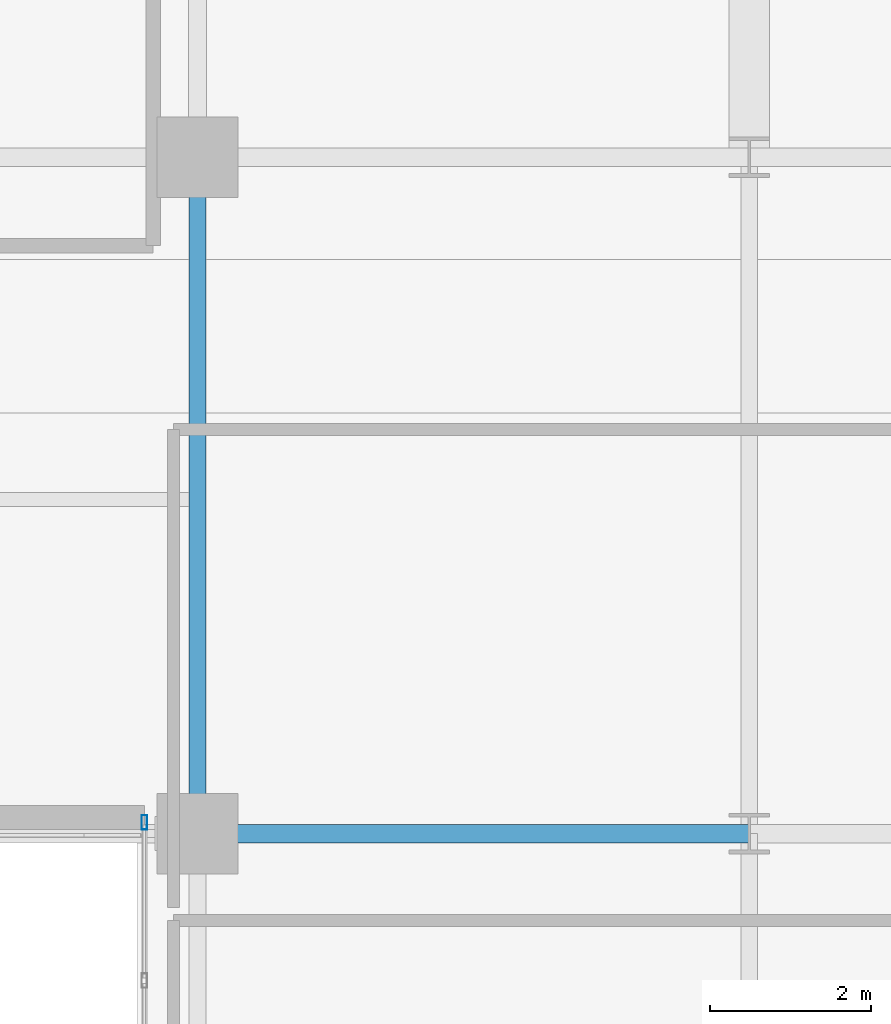
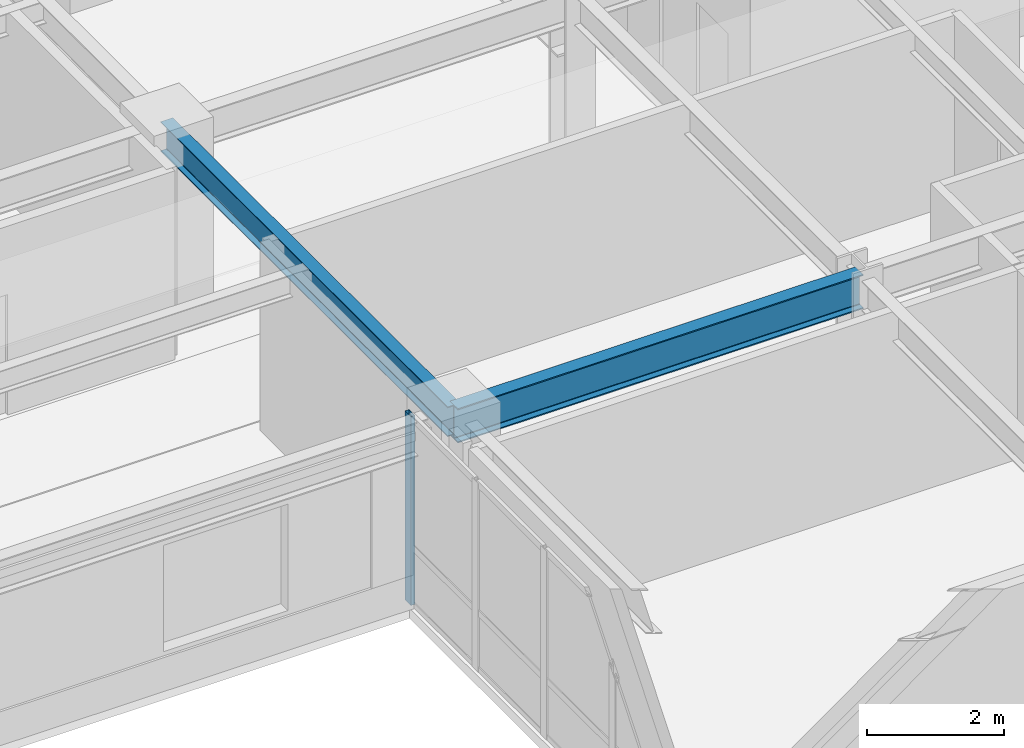
# One storey, part 13 of 31: 2 beams, 1 member, 1 element without a shape of its own.
"""IFC4 building model written with IfcOpenShell, lengths in metres."""

import ifcopenshell
import ifcopenshell.guid

model = None  # the IFC model being written
_history = None  # IfcOwnerHistory: only IFC2X3 demands one
_inside = {}  # id of a spatial element -> (the spatial element, [elements in it])
_under = {}  # id of a project, library or spatial element -> (it, [spatial elements below it])
_declared = {}  # id of a project -> (the project, [libraries it declares])
_typed = {}  # id of a type object -> (the type object, [elements of that type])
_made_of = {}  # id of a material, layer set ... -> (it, [elements and type objects made of it])


def new_model(schema):
    """Start an empty IFC model of exactly this schema.

    Asked for "IFC4X3", IfcOpenShell would pick the latest addendum, in which some entities
    have other attributes; the version numbers below select the first issue.
    IFC2X3 requires an IfcOwnerHistory on every rooted entity: one is made here for all.
    """
    global model, _history
    if schema == "IFC4X3":
        model = ifcopenshell.file(schema_version=(4, 3, 0, 0))
    else:
        model = ifcopenshell.file(schema=schema)
    _inside.clear()
    _under.clear()
    _declared.clear()
    _typed.clear()
    _made_of.clear()
    _history = None
    if model.schema == "IFC2X3":
        org = make("IfcOrganization", Name="unknown")
        user = make(
            "IfcPersonAndOrganization",
            ThePerson=make("IfcPerson", FamilyName="unknown"),
            TheOrganization=org,
        )
        app = make(
            "IfcApplication",
            ApplicationDeveloper=org,
            Version="unknown",
            ApplicationFullName="unknown",
            ApplicationIdentifier="unknown",
        )
        _history = make(
            "IfcOwnerHistory",
            OwningUser=user,
            OwningApplication=app,
            ChangeAction="ADDED",
            CreationDate=0,
        )
    return model


def make(cls, **values):
    """One entity of the class cls with the attributes given. An attribute that is None is left unset."""
    return model.create_entity(
        cls, **{name: value for name, value in values.items() if value is not None}
    )


def rooted(cls, **values):
    """An entity with a GlobalId (a new one), such as an element, a storey or a relation."""
    return make(cls, GlobalId=ifcopenshell.guid.new(), OwnerHistory=_history, **values)


def si_unit(unit_type, name, prefix=None):
    """IfcSIUnit, for example si_unit("LENGTHUNIT", "METRE", prefix="MILLI")."""
    return make("IfcSIUnit", UnitType=unit_type, Prefix=prefix, Name=name)


def assignment(units):
    """IfcUnitAssignment: the units of a project."""
    return None if units is None else make("IfcUnitAssignment", Units=units)


def point(xyz):
    """IfcCartesianPoint."""
    return None if xyz is None else make("IfcCartesianPoint", Coordinates=xyz)


def direction(xyz):
    """IfcDirection."""
    return None if xyz is None else make("IfcDirection", DirectionRatios=xyz)


def frame(location, z_axis=None, x_axis=None):
    """IfcAxis2Placement3D, a coordinate frame: its origin and axes. An axis left out is left unset."""
    return make(
        "IfcAxis2Placement3D",
        Location=point(location),
        Axis=direction(z_axis),
        RefDirection=direction(x_axis),
    )


def frame_2d(location, x_axis=None):
    """IfcAxis2Placement2D, a coordinate frame in the plane: its origin and x axis."""
    return make(
        "IfcAxis2Placement2D", Location=point(location), RefDirection=direction(x_axis)
    )


def origin():
    """The frame at (0, 0, 0) with its axes left unset."""
    return frame((0.0, 0.0, 0.0))


def origin_2d():
    """The frame at (0, 0) in the plane with its x axis left unset."""
    return frame_2d((0.0, 0.0))


def place(relative_to, where):
    """IfcLocalPlacement: puts the frame where relative to a parent placement (None: the world)."""
    return make(
        "IfcLocalPlacement", PlacementRelTo=relative_to, RelativePlacement=where
    )


def context(
    kind, dimensions, precision=None, world=None, true_north=None, identifier=None
):
    """IfcGeometricRepresentationContext, for example the 3D "Model" context."""
    return make(
        "IfcGeometricRepresentationContext",
        ContextIdentifier=identifier,
        ContextType=kind,
        CoordinateSpaceDimension=dimensions,
        Precision=precision,
        WorldCoordinateSystem=world,
        TrueNorth=true_north,
    )


def subcontext(parent, identifier, kind, view, scale=None):
    """IfcGeometricRepresentationSubContext, for example "Body" below "Model"."""
    return make(
        "IfcGeometricRepresentationSubContext",
        ContextIdentifier=identifier,
        ContextType=kind,
        ParentContext=parent,
        TargetScale=scale,
        TargetView=view,
    )


def project(units=None, contexts=None):
    """IfcProject with its units and contexts."""
    return rooted(
        "IfcProject",
        Name="project",
        RepresentationContexts=contexts,
        UnitsInContext=assignment(units),
    )


def spatial(cls, under=None, at=None, **own):
    """A site, building, storey or space (cls), placed at a placement, below another one or the project."""
    s = rooted(cls, ObjectPlacement=at, **own)
    if under is not None:
        _under.setdefault(under.id(), (under, []))[1].append(s)
    return s


def profile(cls, at=None, kind="AREA", **sizes):
    """A parametric profile (cls). Its sizes go by their IFC names, for example OverallWidth=200.0."""
    return make(cls, ProfileType=kind, Position=at, **sizes)


def hollow_rectangle(**sizes):
    """IfcRectangleHollowProfileDef."""
    return profile("IfcRectangleHollowProfileDef", **sizes)


def i_section(**sizes):
    """IfcIShapeProfileDef."""
    return profile("IfcIShapeProfileDef", **sizes)


def extrude(swept, where, along, depth):
    """IfcExtrudedAreaSolid: the profile swept, set in the frame where, extruded along a direction by depth."""
    return make(
        "IfcExtrudedAreaSolid",
        SweptArea=swept,
        Position=where,
        ExtrudedDirection=direction(along),
        Depth=depth,
    )


def shape(context_of_items, identifier, shape_type, items):
    """IfcShapeRepresentation: the items that make up one representation, for example the "Body"."""
    return make(
        "IfcShapeRepresentation",
        ContextOfItems=context_of_items,
        RepresentationIdentifier=identifier,
        RepresentationType=shape_type,
        Items=items,
    )


def source(mapping_origin, context_of_items, identifier, shape_type, items):
    """IfcRepresentationMap: a shape defined once, which mapped items show again and again."""
    return make(
        "IfcRepresentationMap",
        MappingOrigin=mapping_origin,
        MappedRepresentation=shape(context_of_items, identifier, shape_type, items),
    )


def transform(
    local_origin,
    x_axis=None,
    y_axis=None,
    z_axis=None,
    scale=None,
    scale2=None,
    scale3=None,
    uniform=True,
):
    """IfcCartesianTransformationOperator3D, or its non-uniform kind. x_axis, y_axis, z_axis: its Axis1, 2, 3."""
    if uniform:
        return make(
            "IfcCartesianTransformationOperator3D",
            Axis1=direction(x_axis),
            Axis2=direction(y_axis),
            LocalOrigin=point(local_origin),
            Scale=scale,
            Axis3=direction(z_axis),
        )
    return make(
        "IfcCartesianTransformationOperator3DnonUniform",
        Axis1=direction(x_axis),
        Axis2=direction(y_axis),
        LocalOrigin=point(local_origin),
        Scale=scale,
        Axis3=direction(z_axis),
        Scale2=scale2,
        Scale3=scale3,
    )


def mapped(mapping_source, mapping_target):
    """IfcMappedItem: shows the shape of a source again, moved by a transform."""
    return make(
        "IfcMappedItem", MappingSource=mapping_source, MappingTarget=mapping_target
    )


def material(Name=None, Category=None):
    """IfcMaterial."""
    return make("IfcMaterial", Name=Name, Category=Category)


def layer(
    of_material, thickness, ventilated=None, Name=None, Category=None, Priority=None
):
    """IfcMaterialLayer: one layer of a wall or slab, of a material (None: an air gap)."""
    return make(
        "IfcMaterialLayer",
        Material=of_material,
        LayerThickness=thickness,
        IsVentilated=ventilated,
        Name=Name,
        Category=Category,
        Priority=Priority,
    )


def layer_set(layers, Name=None):
    """IfcMaterialLayerSet."""
    return make("IfcMaterialLayerSet", MaterialLayers=layers, LayerSetName=Name)


def material_profile(
    of_material, cross_section, Name=None, Category=None, Priority=None
):
    """IfcMaterialProfile: a cross section and its material."""
    return make(
        "IfcMaterialProfile",
        Name=Name,
        Material=of_material,
        Profile=cross_section,
        Priority=Priority,
        Category=Category,
    )


def profile_set(profiles, Name=None, composite=None):
    """IfcMaterialProfileSet."""
    return make(
        "IfcMaterialProfileSet",
        Name=Name,
        MaterialProfiles=profiles,
        CompositeProfile=composite,
    )


def made_of(thing, what):
    """Note that an element or type object is made of a material, layer set ...; save() writes the relation."""
    if what is not None:
        _made_of.setdefault(what.id(), (what, []))[1].append(thing)
    return thing


def type_object(cls, material=None, **own):
    """A type object (cls), such as IfcWallType, which elements share."""
    return made_of(rooted(cls, **own), material)


def type_shapes(of_type, sources):
    """Give a type object the sources (RepresentationMaps) that its elements show as mapped items."""
    of_type.RepresentationMaps = sources


def element(
    cls,
    number,
    at=None,
    inside=None,
    cuts=None,
    type_object=None,
    material=None,
    context=None,
    identifier="Body",
    shape_type=None,
    held_by="IfcProductDefinitionShape",
    body=None,
    shapes=None,
    **own,
):
    """One element of the class cls, such as IfcWall. Its Tag is "e" and its number.

    at: its placement. inside: the storey or other place that contains it. cuts: it is an
    opening in that element (IfcRelVoidsElement). A single representation is given by context,
    identifier, shape_type and body (its items); several are given by shapes. held_by: the class
    of the entity that holds the representations. save() writes the other relations.
    """
    e = rooted(cls, Tag="e%d" % number, ObjectPlacement=at, **own)
    if body is not None:
        shapes = [shape(context, identifier, shape_type, body)]
    if shapes is not None:
        e.Representation = make(held_by, Representations=shapes)
    if inside is not None:
        _inside.setdefault(inside.id(), (inside, []))[1].append(e)
    if cuts is not None:
        rooted(
            "IfcRelVoidsElement", RelatingBuildingElement=cuts, RelatedOpeningElement=e
        )
    if type_object is not None:
        _typed.setdefault(type_object.id(), (type_object, []))[1].append(e)
    return made_of(e, material)


def aggregate(whole, parts):
    """IfcRelAggregates: a whole, such as a stair, and the parts it consists of."""
    return rooted("IfcRelAggregates", RelatingObject=whole, RelatedObjects=parts)


def save(model, path):
    """Write the relations noted so far, then the file.

    IfcRelAggregates (storeys below a building ...), IfcRelContainedInSpatialStructure (elements
    in a storey), IfcRelDefinesByType, IfcRelAssociatesMaterial and IfcRelDeclares: one each for
    every whole, place, type object, material and project.
    """
    for whole, parts in _under.values():
        aggregate(whole, parts)
    for where, things in _inside.values():
        rooted(
            "IfcRelContainedInSpatialStructure",
            RelatedElements=things,
            RelatingStructure=where,
        )
    for kind, things in _typed.values():
        rooted("IfcRelDefinesByType", RelatedObjects=things, RelatingType=kind)
    for what, things in _made_of.values():
        rooted("IfcRelAssociatesMaterial", RelatedObjects=things, RelatingMaterial=what)
    for by, libraries in _declared.values():
        rooted("IfcRelDeclares", RelatingContext=by, RelatedDefinitions=libraries)
    model.write(path)


model = new_model("IFC4")

# Units and contexts
model_context = context("Model", 3, precision=1e-05, world=origin(), true_north=direction((0.0, 1.0)))
body_context = subcontext(model_context, "Body", "Model", "MODEL_VIEW")
ifc_project = project(units=[si_unit("LENGTHUNIT", "METRE"), si_unit("AREAUNIT", "SQUARE_METRE"), si_unit("VOLUMEUNIT", "CUBIC_METRE"), si_unit("PLANEANGLEUNIT", "RADIAN"), si_unit("MASSUNIT", "GRAM", prefix="KILO")], contexts=[model_context])

# Site, building, storey
site_placement = place(None, origin())
site = spatial("IfcSite", under=ifc_project, at=site_placement, CompositionType="ELEMENT")
building_placement = place(site_placement, origin())
building = spatial("IfcBuilding", under=site, at=building_placement, Name="Tolvann Quenvar Hotel", CompositionType="ELEMENT")
storey_placement = place(building_placement, frame((0.0, 0.0, 74.60009765625)))
storey = spatial("IfcBuildingStorey", under=building, at=storey_placement, Name="L18", CompositionType="ELEMENT", Elevation=74.60009765625)

# Beams
ifc_material_1 = material(Name="Steel Grade 350", Category="steel")
ifc_material_profile_1 = material_profile(ifc_material_1, i_section(OverallWidth=0.22900390625, OverallDepth=0.612060546875, WebThickness=0.011962890625, FlangeThickness=0.01953125, FilletRadius=0.013916015625, at=origin_2d()), Name="610UB125")
ifc_profile_set_1 = profile_set([ifc_material_profile_1], Name="Steel Grade 350")
beam_type_1 = type_object("IfcBeamType", Name="BM_GIRD_610UB125", PredefinedType="BEAM", material=ifc_profile_set_1)
shared_shape_1 = source(origin(), body_context, "Body", "SweptSolid", [
    extrude(i_section(OverallWidth=0.22900390625, OverallDepth=0.612060546875, WebThickness=0.011962890625, FlangeThickness=0.01953125, FilletRadius=0.013916015625, at=origin_2d()), origin(), (0.0, 0.0, 1.0), 6.85009765625),
])
type_shapes(beam_type_1, [shared_shape_1])
beam_1_placement = place(storey_placement, frame((34.949951171875, 16.0, 3.06396484375), z_axis=(1.0, 0.0, 0.0), x_axis=(0.0, 1.0, 0.0)))
element("IfcBeam", 1, at=beam_1_placement, inside=storey, type_object=beam_type_1, Name="BM-L18-EW-4-F4-H4", PredefinedType="BEAM", context=body_context, shape_type="MappedRepresentation", body=[
    mapped(shared_shape_1, transform((0.0, 0.0, 0.0), x_axis=(1.0, 0.0, 0.0), y_axis=(0.0, 1.0, 0.0), z_axis=(0.0, 0.0, 1.0), scale=1.0)),
])
ifc_material_profile_2 = material_profile(ifc_material_1, i_section(OverallWidth=0.208984375, OverallDepth=0.532958984375, WebThickness=0.01025390625, FlangeThickness=0.015625, FilletRadius=0.013916015625, at=origin_2d()), Name="530UB92")
ifc_profile_set_2 = profile_set([ifc_material_profile_2], Name="Steel Grade 350")
beam_type_2 = type_object("IfcBeamType", Name="BM_GIRD_530UB92", PredefinedType="BEAM", material=ifc_profile_set_2)
shared_shape_2 = source(origin(), body_context, "Body", "SweptSolid", [
    extrude(i_section(OverallWidth=0.208984375, OverallDepth=0.532958984375, WebThickness=0.01025390625, FlangeThickness=0.015625, FilletRadius=0.013916015625, at=origin_2d()), origin(), (0.0, 0.0, 1.0), 8.39990234375),
])
type_shapes(beam_type_2, [shared_shape_2])
beam_2_placement = place(storey_placement, frame((34.949951171875, 16.0, 3.103515625), z_axis=(0.0, 1.0, 0.0), x_axis=(-1.0, 0.0, 0.0)))
element("IfcBeam", 2, at=beam_2_placement, inside=storey, type_object=beam_type_2, Name="BM-L18-NS-F4-F5", PredefinedType="BEAM", context=body_context, shape_type="MappedRepresentation", body=[
    mapped(shared_shape_2, transform((0.0, 0.0, 0.0), x_axis=(1.0, 0.0, 0.0), y_axis=(0.0, 1.0, 0.0), z_axis=(0.0, 0.0, 1.0), scale=1.0)),
])

# Curtain wall, member
ifc_material_2 = material(Name="Thermally broken anodised architectural aluminium 6063-T6 and laminated low-E glass", Category="aluminium")
ifc_layer = layer(ifc_material_2, 0.179931640625)
ifc_layer_set = layer_set([ifc_layer], Name="Thermally broken anodised architectural aluminium 6063-T6 and laminated low-E glass")
curtain_wall_type = type_object("IfcCurtainWallType", Name="CW_SYS_SLOT_03", PredefinedType="USERDEFINED", material=ifc_layer_set)
curtain_wall_placement = place(storey_placement, origin())
curtain_wall = element("IfcCurtainWall", 3, at=curtain_wall_placement, inside=storey, type_object=curtain_wall_type, Name="Curtain Wall CW-SLOT-03 (CWR-L18-E07)", ObjectType="UNITISED CURTAIN WALL", PredefinedType="USERDEFINED")
ifc_material_3 = material(Name="Anodised architectural aluminium 6063-T6 framing", Category="aluminium")
ifc_material_profile_3 = material_profile(ifc_material_3, hollow_rectangle(XDim=0.070068359375, YDim=0.179931640625, WallThickness=0.00390625, at=origin_2d()), Name="180x70x4RHS")
ifc_profile_set_3 = profile_set([ifc_material_profile_3], Name="Anodised architectural aluminium 6063-T6 framing")
member_type = type_object("IfcMemberType", Name="CW_MULL_180x70", PredefinedType="MULLION", material=ifc_profile_set_3)
shared_shape_3 = source(origin(), body_context, "Body", "SweptSolid", [
    extrude(hollow_rectangle(XDim=0.070068359375, YDim=0.179931640625, WallThickness=0.00390625, at=origin_2d()), origin(), (0.0, 0.0, 1.0), 3.369873046875),
])
type_shapes(member_type, [shared_shape_3])
member_placement = place(storey_placement, frame((34.2900390625, 16.139892578125, 0.0), z_axis=(0.0, 0.0, 1.0), x_axis=(1.0, 0.0, 0.0)))
member = element("IfcMember", 4, at=member_placement, type_object=member_type, Name="CW-SLOT-03 mullion 1", PredefinedType="MULLION", context=body_context, shape_type="MappedRepresentation", body=[
    mapped(shared_shape_3, transform((0.0, 0.0, 0.0), x_axis=(1.0, 0.0, 0.0), y_axis=(0.0, 1.0, 0.0), z_axis=(0.0, 0.0, 1.0), scale=1.0)),
])
aggregate(curtain_wall, [member])

save(model, "model.ifc")
